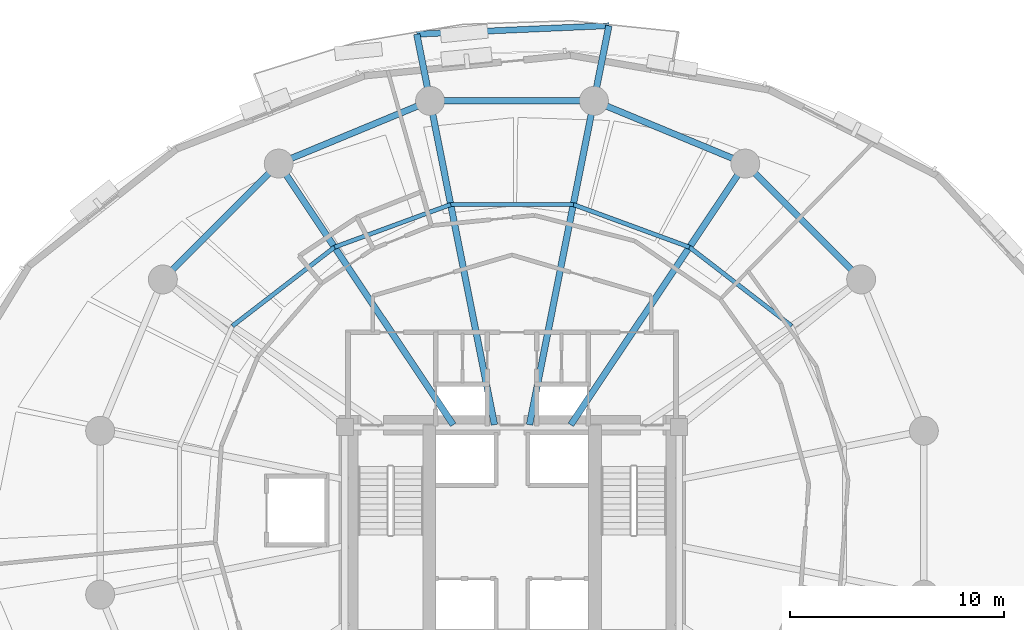
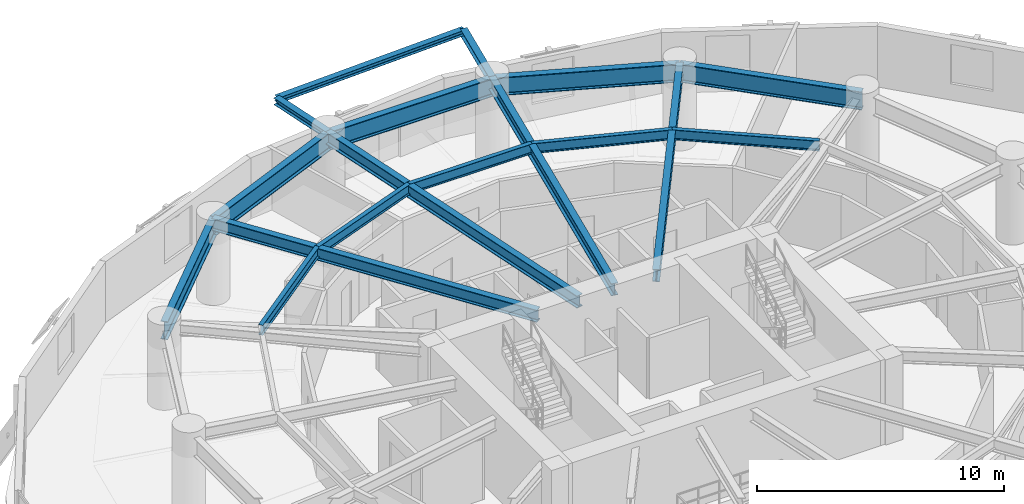
# One storey, part 9 of 17: 17 beams.
"""IFC4 building model written with IfcOpenShell, lengths in metres."""

from ifc_helpers import new_model, si_unit, direction, frame, origin, origin_2d, place, context, subcontext, project, spatial, i_section, extrude, material, material_profile, profile_set, type_object, element, save


model = new_model("IFC4")

# Units and contexts
model_context = context("Model", 3, precision=1e-05, world=origin(), true_north=direction((0.0, 1.0)))
body_context = subcontext(model_context, "Body", "Model", "MODEL_VIEW")
ifc_project = project(units=[si_unit("LENGTHUNIT", "METRE"), si_unit("AREAUNIT", "SQUARE_METRE"), si_unit("VOLUMEUNIT", "CUBIC_METRE"), si_unit("PLANEANGLEUNIT", "RADIAN"), si_unit("MASSUNIT", "GRAM", prefix="KILO"), si_unit("THERMODYNAMICTEMPERATUREUNIT", "KELVIN"), si_unit("POWERUNIT", "WATT")], contexts=[model_context])

# Site, building, storey
site_placement = place(None, origin())
site = spatial("IfcSite", under=ifc_project, at=site_placement, CompositionType="ELEMENT")
building_placement = place(site_placement, origin())
building = spatial("IfcBuilding", under=site, at=building_placement, Name="Ocrelia Relay Tower", CompositionType="ELEMENT")
storey_placement = place(building_placement, frame((0.0, 0.0, 55.199951171875)))
storey = spatial("IfcBuildingStorey", under=building, at=storey_placement, Name="L12", CompositionType="ELEMENT", Elevation=55.199951171875)

# Beams
ifc_material = material(Name="Steel S355", Category="steel")
ifc_material_profile_1 = material_profile(ifc_material, i_section(OverallWidth=0.280029296875, OverallDepth=0.27001953125, WebThickness=0.008056640625, FlangeThickness=0.012939453125, FilletRadius=0.02392578125, at=origin_2d()), Name="HEA 280")
ifc_profile_set_1 = profile_set([ifc_material_profile_1], Name="Steel S355")
beam_type_1 = type_object("IfcBeamType", Name="BM-HEA280", PredefinedType="BEAM", material=ifc_profile_set_1)
beam_1_placement = place(storey_placement, frame((38.52197265625, 48.73291015625, 3.78515625), z_axis=(-0.999021033934, -0.04423769611, 0.0), x_axis=(0.04423769611, -0.999021033934, 0.0)))
element("IfcBeam", 1, at=beam_1_placement, inside=storey, type_object=beam_type_1, Name="L13 Balcony Edge Trimmer Beam B1", PredefinedType="BEAM", context=body_context, shape_type="SweptSolid", body=[
    extrude(i_section(OverallWidth=0.280029296875, OverallDepth=0.27001953125, WebThickness=0.008056640625, FlangeThickness=0.012939453125, FilletRadius=0.02392578125, at=origin_2d()), origin(), (0.0, 0.0, 1.0), 8.9736328125),
])
ifc_material_profile_2 = material_profile(ifc_material, i_section(OverallWidth=0.300048828125, OverallDepth=0.330078125, WebThickness=0.009521484375, FlangeThickness=0.0166015625, FilletRadius=0.027099609375, at=origin_2d()), Name="HEA 340")
ifc_profile_set_2 = profile_set([ifc_material_profile_2], Name="Steel S355")
beam_type_2 = type_object("IfcBeamType", Name="BM-HEA340", PredefinedType="BEAM", material=ifc_profile_set_2)
beam_2_placement = place(storey_placement, frame((37.82373046875, 45.223388671875, 3.755126953125), z_axis=(0.1951319792, 0.980776993355, 0.0), x_axis=(-0.980776993355, 0.1951319792, 0.0)))
element("IfcBeam", 2, at=beam_2_placement, inside=storey, type_object=beam_type_2, Name="L13 Balcony Cantilever Beam B1-1", PredefinedType="BEAM", context=body_context, shape_type="SweptSolid", body=[
    extrude(i_section(OverallWidth=0.300048828125, OverallDepth=0.330078125, WebThickness=0.009521484375, FlangeThickness=0.0166015625, FilletRadius=0.027099609375, at=origin_2d()), origin(), (0.0, 0.0, 1.0), 3.578369140625),
])
beam_3_placement = place(storey_placement, frame((30.17626953125, 45.223388671875, 3.755126953125), z_axis=(-0.195095223059, 0.980784305512, 0.0), x_axis=(-0.980784305512, -0.195095223059, 0.0)))
element("IfcBeam", 3, at=beam_3_placement, inside=storey, type_object=beam_type_2, Name="L13 Balcony Cantilever Beam B1-2", PredefinedType="BEAM", context=body_context, shape_type="SweptSolid", body=[
    extrude(i_section(OverallWidth=0.300048828125, OverallDepth=0.330078125, WebThickness=0.009521484375, FlangeThickness=0.0166015625, FilletRadius=0.027099609375, at=origin_2d()), origin(), (0.0, 0.0, 1.0), 3.173583984375),
])
ifc_material_profile_3 = material_profile(ifc_material, i_section(OverallWidth=0.300048828125, OverallDepth=0.60009765625, WebThickness=0.015380859375, FlangeThickness=0.030029296875, FilletRadius=0.027099609375, at=origin_2d()), Name="HEB 600")
ifc_profile_set_3 = profile_set([ifc_material_profile_3], Name="Steel S355")
beam_type_3 = type_object("IfcBeamType", Name="BM-HEB600", PredefinedType="BEAM", material=ifc_profile_set_3)
beam_4_placement = place(storey_placement, frame((44.88916015625, 42.296875, 3.6201171875), z_axis=(-0.555564422059, -0.831473495033, 0.0), x_axis=(0.831473495033, -0.555564422059, 0.0)))
element("IfcBeam", 4, at=beam_4_placement, inside=storey, type_object=beam_type_3, Name="L12 Radial Floor Girder R03", PredefinedType="BEAM", context=body_context, shape_type="SweptSolid", body=[
    extrude(i_section(OverallWidth=0.300048828125, OverallDepth=0.60009765625, WebThickness=0.015380859375, FlangeThickness=0.030029296875, FilletRadius=0.027099609375, at=origin_2d()), origin(), (0.0, 0.0, 1.0), 14.6630859375),
])
for number, where, z_axis, x_axis, name in (
    (5, (37.82373046875, 45.223388671875, 3.6201171875), (-0.19509567956, -0.980784214706, 0.0), (0.980784214706, -0.19509567956, 0.0), "L12 Radial Floor Girder R04"),
    (6, (30.17626953125, 45.223388671875, 3.6201171875), (0.19509567956, -0.980784214706, 0.0), (0.980784214706, 0.19509567956, 0.0), "L12 Radial Floor Girder R05"),
):
    element("IfcBeam", number, at=place(storey_placement, frame(where, z_axis=z_axis, x_axis=x_axis)), inside=storey, type_object=beam_type_3, Name=name, PredefinedType="BEAM", context=body_context, shape_type="SweptSolid", body=[
        extrude(i_section(OverallWidth=0.300048828125, OverallDepth=0.60009765625, WebThickness=0.015380859375, FlangeThickness=0.030029296875, FilletRadius=0.027099609375, at=origin_2d()), origin(), (0.0, 0.0, 1.0), 15.41455078125),
    ])
beam_5_placement = place(storey_placement, frame((23.11083984375, 42.296875, 3.6201171875), z_axis=(0.555564422059, -0.831473495033, 0.0), x_axis=(0.831473495033, 0.555564422059, 0.0)))
element("IfcBeam", 7, at=beam_5_placement, inside=storey, type_object=beam_type_3, Name="L12 Radial Floor Girder R06", PredefinedType="BEAM", context=body_context, shape_type="SweptSolid", body=[
    extrude(i_section(OverallWidth=0.300048828125, OverallDepth=0.60009765625, WebThickness=0.015380859375, FlangeThickness=0.030029296875, FilletRadius=0.027099609375, at=origin_2d()), origin(), (0.0, 0.0, 1.0), 14.6630859375),
])
ifc_material_profile_4 = material_profile(ifc_material, i_section(OverallWidth=0.300048828125, OverallDepth=0.89990234375, WebThickness=0.0185546875, FlangeThickness=0.034912109375, FilletRadius=0.030029296875, at=origin_2d()), Name="HEB 900")
ifc_profile_set_4 = profile_set([ifc_material_profile_4], Name="Steel S355")
beam_type_4 = type_object("IfcBeamType", Name="BM-HEB900", PredefinedType="BEAM", material=ifc_profile_set_4)
beam_6_placement = place(storey_placement, frame((50.296875, 36.88916015625, 3.469970703125), z_axis=(-0.707106781187, 0.707106781187, 0.0), x_axis=(-0.707106781187, -0.707106781187, 0.0)))
element("IfcBeam", 8, at=beam_6_placement, inside=storey, type_object=beam_type_4, Name="L12 Perimeter Spandrel Beam S02", PredefinedType="BEAM", context=body_context, shape_type="SweptSolid", body=[
    extrude(i_section(OverallWidth=0.300048828125, OverallDepth=0.89990234375, WebThickness=0.0185546875, FlangeThickness=0.034912109375, FilletRadius=0.030029296875, at=origin_2d()), origin(), (0.0, 0.0, 1.0), 7.647705078125),
])
for number, where, z_axis, x_axis, name in (
    (9, (44.88916015625, 42.296875, 3.469970703125), (-0.923883375589, 0.382674154222, 0.0), (-0.382674154222, -0.923883375589, 0.0), "L12 Perimeter Spandrel Beam S03"),
    (10, (37.82373046875, 45.223388671875, 3.469970703125), (-1.0, 0.0, 0.0), (0.0, -1.0, 0.0), "L12 Perimeter Spandrel Beam S04"),
    (11, (30.17626953125, 45.223388671875, 3.469970703125), (-0.923883375589, -0.382674154222, 0.0), (0.382674154222, -0.923883375589, 0.0), "L12 Perimeter Spandrel Beam S05"),
):
    element("IfcBeam", number, at=place(storey_placement, frame(where, z_axis=z_axis, x_axis=x_axis)), inside=storey, type_object=beam_type_4, Name=name, PredefinedType="BEAM", context=body_context, shape_type="SweptSolid", body=[
        extrude(i_section(OverallWidth=0.300048828125, OverallDepth=0.89990234375, WebThickness=0.0185546875, FlangeThickness=0.034912109375, FilletRadius=0.030029296875, at=origin_2d()), origin(), (0.0, 0.0, 1.0), 7.6474609375),
    ])
beam_7_placement = place(storey_placement, frame((23.11083984375, 42.296875, 3.469970703125), z_axis=(-0.707106781187, -0.707106781187, 0.0), x_axis=(0.707106781187, -0.707106781187, 0.0)))
element("IfcBeam", 12, at=beam_7_placement, inside=storey, type_object=beam_type_4, Name="L12 Perimeter Spandrel Beam S06", PredefinedType="BEAM", context=body_context, shape_type="SweptSolid", body=[
    extrude(i_section(OverallWidth=0.300048828125, OverallDepth=0.89990234375, WebThickness=0.0185546875, FlangeThickness=0.034912109375, FilletRadius=0.030029296875, at=origin_2d()), origin(), (0.0, 0.0, 1.0), 7.647705078125),
])
ifc_material_profile_5 = material_profile(ifc_material, i_section(OverallWidth=0.199951171875, OverallDepth=0.5, WebThickness=0.01025390625, FlangeThickness=0.01611328125, FilletRadius=0.02099609375, at=origin_2d()), Name="IPE 500")
ifc_profile_set_5 = profile_set([ifc_material_profile_5], Name="Steel S355")
beam_type_5 = type_object("IfcBeamType", Name="BM-IPE500", PredefinedType="JOIST", material=ifc_profile_set_5)
beam_8_placement = place(storey_placement, frame((47.0478515625, 34.71826171875, 3.670166015625), z_axis=(-0.791694256239, 0.610917510502, 0.0), x_axis=(-0.610917510502, -0.791694256239, 0.0)))
element("IfcBeam", 13, at=beam_8_placement, inside=storey, type_object=beam_type_5, Name="L12 Secondary Floor Joist J02", PredefinedType="JOIST", context=body_context, shape_type="SweptSolid", body=[
    extrude(i_section(OverallWidth=0.199951171875, OverallDepth=0.5, WebThickness=0.01025390625, FlangeThickness=0.01611328125, FilletRadius=0.02099609375, at=origin_2d()), origin(), (0.0, 0.0, 1.0), 6.019287109375),
])
beam_9_placement = place(storey_placement, frame((42.282470703125, 38.3955078125, 3.670166015625), z_axis=(-0.938745977034, 0.344609910773, 0.0), x_axis=(-0.344609910773, -0.938745977034, 0.0)))
element("IfcBeam", 14, at=beam_9_placement, inside=storey, type_object=beam_type_5, Name="L12 Secondary Floor Joist J03", PredefinedType="JOIST", context=body_context, shape_type="SweptSolid", body=[
    extrude(i_section(OverallWidth=0.199951171875, OverallDepth=0.5, WebThickness=0.01025390625, FlangeThickness=0.01611328125, FilletRadius=0.02099609375, at=origin_2d()), origin(), (0.0, 0.0, 1.0), 5.774658203125),
])
beam_10_placement = place(storey_placement, frame((36.861572265625, 40.385498046875, 3.670166015625), z_axis=(-1.0, 0.0, 0.0), x_axis=(0.0, -1.0, 0.0)))
element("IfcBeam", 15, at=beam_10_placement, inside=storey, type_object=beam_type_5, Name="L12 Secondary Floor Joist J04", PredefinedType="JOIST", context=body_context, shape_type="SweptSolid", body=[
    extrude(i_section(OverallWidth=0.199951171875, OverallDepth=0.5, WebThickness=0.01025390625, FlangeThickness=0.01611328125, FilletRadius=0.02099609375, at=origin_2d()), origin(), (0.0, 0.0, 1.0), 5.72314453125),
])
beam_11_placement = place(storey_placement, frame((31.138427734375, 40.385498046875, 3.670166015625), z_axis=(-0.938745977034, -0.344609910773, 0.0), x_axis=(0.344609910773, -0.938745977034, 0.0)))
element("IfcBeam", 16, at=beam_11_placement, inside=storey, type_object=beam_type_5, Name="L12 Secondary Floor Joist J05", PredefinedType="JOIST", context=body_context, shape_type="SweptSolid", body=[
    extrude(i_section(OverallWidth=0.199951171875, OverallDepth=0.5, WebThickness=0.01025390625, FlangeThickness=0.01611328125, FilletRadius=0.02099609375, at=origin_2d()), origin(), (0.0, 0.0, 1.0), 5.774658203125),
])
beam_12_placement = place(storey_placement, frame((25.717529296875, 38.3955078125, 3.670166015625), z_axis=(-0.791694256239, -0.610917510502, 0.0), x_axis=(0.610917510502, -0.791694256239, 0.0)))
element("IfcBeam", 17, at=beam_12_placement, inside=storey, type_object=beam_type_5, Name="L12 Secondary Floor Joist J06", PredefinedType="JOIST", context=body_context, shape_type="SweptSolid", body=[
    extrude(i_section(OverallWidth=0.199951171875, OverallDepth=0.5, WebThickness=0.01025390625, FlangeThickness=0.01611328125, FilletRadius=0.02099609375, at=origin_2d()), origin(), (0.0, 0.0, 1.0), 6.019287109375),
])

save(model, "model.ifc")
